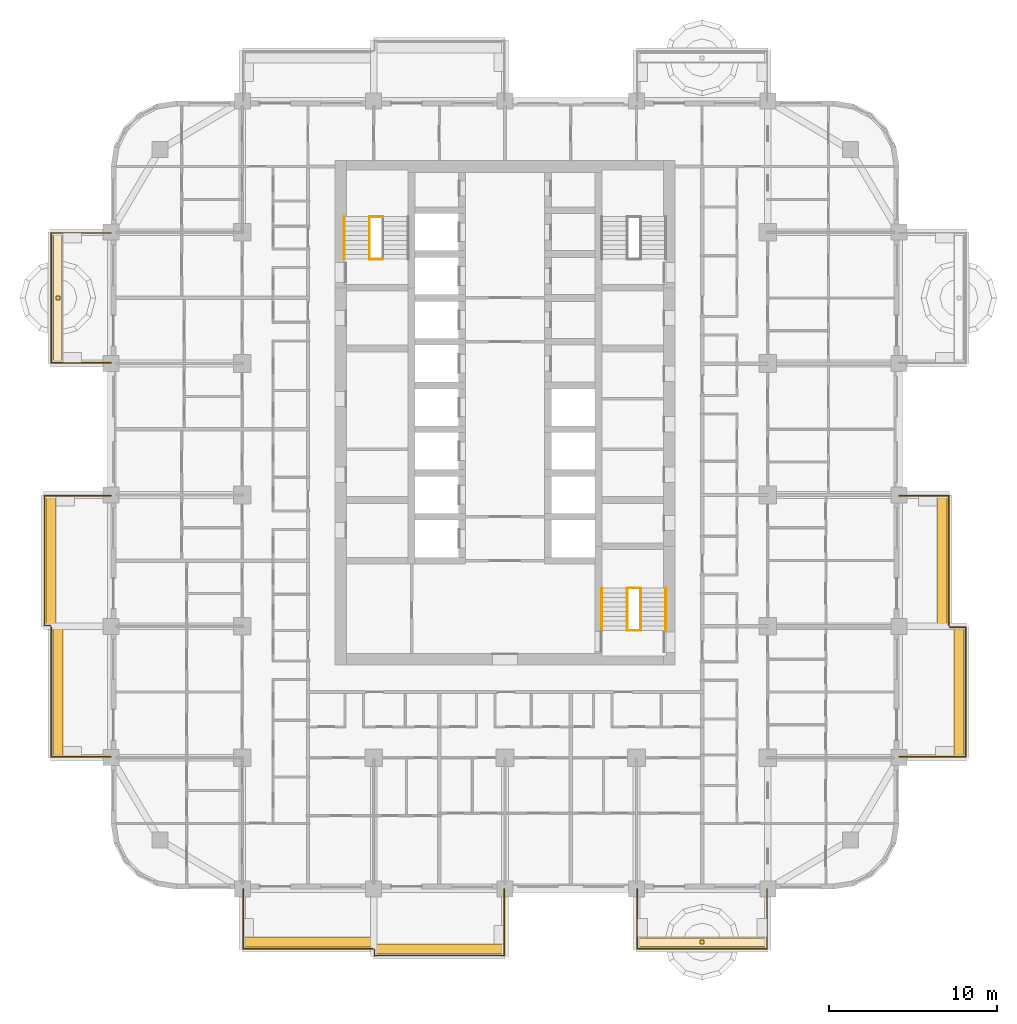
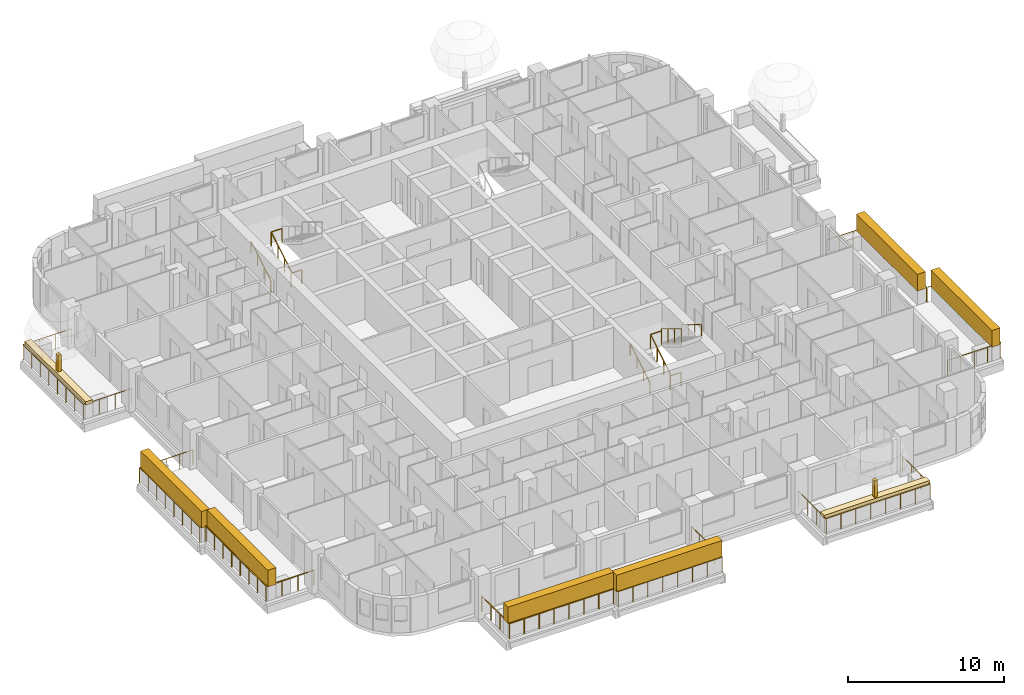
# One storey, part 17 of 19: 18 railings, 10 coverings, 2 elements without a shape of their own.
"""IFC4 building model written with IfcOpenShell, lengths in metres."""

from ifc_helpers import new_model, si_unit, direction, frame, origin, origin_2d, place, context, subcontext, project, spatial, rectangle, circle, extrude, material, layer, layer_set, type_object, element, aggregate, save


model = new_model("IFC4")

# Units and contexts
model_context = context("Model", 3, precision=1e-05, world=origin(), true_north=direction((0.0, 1.0)))
body_context = subcontext(model_context, "Body", "Model", "MODEL_VIEW")
ifc_project = project(units=[si_unit("LENGTHUNIT", "METRE"), si_unit("AREAUNIT", "SQUARE_METRE"), si_unit("VOLUMEUNIT", "CUBIC_METRE"), si_unit("PLANEANGLEUNIT", "RADIAN"), si_unit("MASSUNIT", "GRAM", prefix="KILO")], contexts=[model_context])

# Site, building, storey
site_placement = place(None, origin())
site = spatial("IfcSite", under=ifc_project, at=site_placement, CompositionType="ELEMENT")
building_placement = place(site_placement, origin())
building = spatial("IfcBuilding", under=site, at=building_placement, Name="Ludao Terraces", CompositionType="ELEMENT")
storey_placement = place(building_placement, frame((0.0, 0.0, 68.199951171875)))
storey = spatial("IfcBuildingStorey", under=building, at=storey_placement, Name="L18", CompositionType="ELEMENT", Elevation=68.199951171875)

# Railings
ifc_material_1 = material(Name="Stainless steel 304", Category="steel")
railing_type_1 = type_object("IfcRailingType", Name="ENV Balcony glass guard 1200", PredefinedType="GUARDRAIL", material=ifc_material_1)
railing_1_placement = place(storey_placement, frame((69.449951171875, 41.60009765625, 0.0)))
element("IfcRailing", 1, at=railing_1_placement, inside=storey, type_object=railing_type_1, Name="Balcony guard L18 S1", PredefinedType="GUARDRAIL", context=body_context, shape_type="SweptSolid", body=[
    extrude(circle(Radius=0.02392578125, at=origin_2d()), frame((0.0, 0.0, 1.17578125), z_axis=(0.0, -1.0, 0.0), x_axis=(1.0, 0.0, 0.0)), (0.0, 0.0, 1.0), 3.550048828125),
    extrude(circle(Radius=0.02392578125, at=origin_2d()), frame((0.0, -3.550048828125, 1.17578125), z_axis=(1.0, 0.0, 0.0), x_axis=(0.0, 1.0, 0.0)), (0.0, 0.0, 1.0), 7.699951171875),
    extrude(circle(Radius=0.02099609375, at=origin_2d()), origin(), (0.0, 0.0, 1.0), 1.15185546875),
    extrude(circle(Radius=0.02099609375, at=origin_2d()), frame((0.0, -1.183349609375, 0.0)), (0.0, 0.0, 1.0), 1.15185546875),
    extrude(circle(Radius=0.02099609375, at=origin_2d()), frame((0.0, -2.36669921875, 0.0)), (0.0, 0.0, 1.0), 1.15185546875),
    extrude(circle(Radius=0.02099609375, at=origin_2d()), frame((0.0, -3.550048828125, 0.0)), (0.0, 0.0, 1.0), 1.15185546875),
    extrude(circle(Radius=0.02099609375, at=origin_2d()), frame((1.10009765625, -3.550048828125, 0.0)), (0.0, 0.0, 1.0), 1.15185546875),
    extrude(circle(Radius=0.02099609375, at=origin_2d()), frame((2.199951171875, -3.550048828125, 0.0)), (0.0, 0.0, 1.0), 1.15185546875),
    extrude(circle(Radius=0.02099609375, at=origin_2d()), frame((3.300048828125, -3.550048828125, 0.0)), (0.0, 0.0, 1.0), 1.15185546875),
    extrude(circle(Radius=0.02099609375, at=origin_2d()), frame((4.39990234375, -3.550048828125, 0.0)), (0.0, 0.0, 1.0), 1.15185546875),
    extrude(circle(Radius=0.02099609375, at=origin_2d()), frame((5.5, -3.550048828125, 0.0)), (0.0, 0.0, 1.0), 1.15185546875),
    extrude(circle(Radius=0.02099609375, at=origin_2d()), frame((6.599853515625, -3.550048828125, 0.0)), (0.0, 0.0, 1.0), 1.15185546875),
    extrude(circle(Radius=0.02099609375, at=origin_2d()), frame((7.699951171875, -3.550048828125, 0.0)), (0.0, 0.0, 1.0), 1.15185546875),
])
railing_2_placement = place(storey_placement, frame((77.25, 38.0, 0.0)))
element("IfcRailing", 2, at=railing_2_placement, inside=storey, type_object=railing_type_1, Name="Balcony guard L18 S2", PredefinedType="GUARDRAIL", context=body_context, shape_type="SweptSolid", body=[
    extrude(circle(Radius=0.02392578125, at=origin_2d()), frame((0.0, 0.0, 1.17578125), z_axis=(0.0, -1.0, 0.0), x_axis=(1.0, 0.0, 0.0)), (0.0, 0.0, 1.0), 0.35009765625),
    extrude(circle(Radius=0.02392578125, at=origin_2d()), frame((0.0, -0.35009765625, 1.17578125), z_axis=(1.0, 0.0, 0.0), x_axis=(0.0, 1.0, 0.0)), (0.0, 0.0, 1.0), 7.699951171875),
    extrude(circle(Radius=0.02392578125, at=origin_2d()), frame((7.699951171875, -0.35009765625, 1.17578125), z_axis=(0.0, 1.0, 0.0), x_axis=(-1.0, 0.0, 0.0)), (0.0, 0.0, 1.0), 3.9501953125),
    extrude(circle(Radius=0.02099609375, at=origin_2d()), origin(), (0.0, 0.0, 1.0), 1.15185546875),
    extrude(circle(Radius=0.02099609375, at=origin_2d()), frame((0.0, -0.35009765625, 0.0)), (0.0, 0.0, 1.0), 1.15185546875),
    extrude(circle(Radius=0.02099609375, at=origin_2d()), frame((1.10009765625, -0.35009765625, 0.0)), (0.0, 0.0, 1.0), 1.15185546875),
    extrude(circle(Radius=0.02099609375, at=origin_2d()), frame((2.199951171875, -0.35009765625, 0.0)), (0.0, 0.0, 1.0), 1.15185546875),
    extrude(circle(Radius=0.02099609375, at=origin_2d()), frame((3.300048828125, -0.35009765625, 0.0)), (0.0, 0.0, 1.0), 1.15185546875),
    extrude(circle(Radius=0.02099609375, at=origin_2d()), frame((4.39990234375, -0.35009765625, 0.0)), (0.0, 0.0, 1.0), 1.15185546875),
    extrude(circle(Radius=0.02099609375, at=origin_2d()), frame((5.5, -0.35009765625, 0.0)), (0.0, 0.0, 1.0), 1.15185546875),
    extrude(circle(Radius=0.02099609375, at=origin_2d()), frame((6.599853515625, -0.35009765625, 0.0)), (0.0, 0.0, 1.0), 1.15185546875),
    extrude(circle(Radius=0.02099609375, at=origin_2d()), frame((7.699951171875, -0.35009765625, 0.0)), (0.0, 0.0, 1.0), 1.15185546875),
    extrude(circle(Radius=0.02099609375, at=origin_2d()), frame((7.699951171875, 0.637451171875, 0.0)), (0.0, 0.0, 1.0), 1.15185546875),
    extrude(circle(Radius=0.02099609375, at=origin_2d()), frame((7.699951171875, 1.625, 0.0)), (0.0, 0.0, 1.0), 1.15185546875),
    extrude(circle(Radius=0.02099609375, at=origin_2d()), frame((7.699951171875, 2.612548828125, 0.0)), (0.0, 0.0, 1.0), 1.15185546875),
    extrude(circle(Radius=0.02099609375, at=origin_2d()), frame((7.699951171875, 3.60009765625, 0.0)), (0.0, 0.0, 1.0), 1.15185546875),
])
railing_3_placement = place(storey_placement, frame((92.85009765625, 41.60009765625, 0.0)))
element("IfcRailing", 3, at=railing_3_placement, inside=storey, type_object=railing_type_1, Name="Balcony guard L18 S4", PredefinedType="GUARDRAIL", context=body_context, shape_type="SweptSolid", body=[
    extrude(circle(Radius=0.02392578125, at=origin_2d()), frame((0.0, 0.0, 1.17578125), z_axis=(0.0, -1.0, 0.0), x_axis=(1.0, 0.0, 0.0)), (0.0, 0.0, 1.0), 3.550048828125),
    extrude(circle(Radius=0.02392578125, at=origin_2d()), frame((0.0, -3.550048828125, 1.17578125), z_axis=(1.0, 0.0, 0.0), x_axis=(0.0, 1.0, 0.0)), (0.0, 0.0, 1.0), 7.699951171875),
    extrude(circle(Radius=0.02392578125, at=origin_2d()), frame((7.699951171875, -3.550048828125, 1.17578125), z_axis=(0.0, 1.0, 0.0), x_axis=(-1.0, 0.0, 0.0)), (0.0, 0.0, 1.0), 3.550048828125),
    extrude(circle(Radius=0.02099609375, at=origin_2d()), origin(), (0.0, 0.0, 1.0), 1.15185546875),
    extrude(circle(Radius=0.02099609375, at=origin_2d()), frame((0.0, -1.183349609375, 0.0)), (0.0, 0.0, 1.0), 1.15185546875),
    extrude(circle(Radius=0.02099609375, at=origin_2d()), frame((0.0, -2.36669921875, 0.0)), (0.0, 0.0, 1.0), 1.15185546875),
    extrude(circle(Radius=0.02099609375, at=origin_2d()), frame((0.0, -3.550048828125, 0.0)), (0.0, 0.0, 1.0), 1.15185546875),
    extrude(circle(Radius=0.02099609375, at=origin_2d()), frame((1.10009765625, -3.550048828125, 0.0)), (0.0, 0.0, 1.0), 1.15185546875),
    extrude(circle(Radius=0.02099609375, at=origin_2d()), frame((2.199951171875, -3.550048828125, 0.0)), (0.0, 0.0, 1.0), 1.15185546875),
    extrude(circle(Radius=0.02099609375, at=origin_2d()), frame((3.300048828125, -3.550048828125, 0.0)), (0.0, 0.0, 1.0), 1.15185546875),
    extrude(circle(Radius=0.02099609375, at=origin_2d()), frame((4.39990234375, -3.550048828125, 0.0)), (0.0, 0.0, 1.0), 1.15185546875),
    extrude(circle(Radius=0.02099609375, at=origin_2d()), frame((5.5, -3.550048828125, 0.0)), (0.0, 0.0, 1.0), 1.15185546875),
    extrude(circle(Radius=0.02099609375, at=origin_2d()), frame((6.599853515625, -3.550048828125, 0.0)), (0.0, 0.0, 1.0), 1.15185546875),
    extrude(circle(Radius=0.02099609375, at=origin_2d()), frame((7.699951171875, -3.550048828125, 0.0)), (0.0, 0.0, 1.0), 1.15185546875),
    extrude(circle(Radius=0.02099609375, at=origin_2d()), frame((7.699951171875, -2.36669921875, 0.0)), (0.0, 0.0, 1.0), 1.15185546875),
    extrude(circle(Radius=0.02099609375, at=origin_2d()), frame((7.699951171875, -1.183349609375, 0.0)), (0.0, 0.0, 1.0), 1.15185546875),
    extrude(circle(Radius=0.02099609375, at=origin_2d()), frame((7.699951171875, 0.0, 0.0)), (0.0, 0.0, 1.0), 1.15185546875),
])
railing_4_placement = place(storey_placement, frame((108.39990234375, 49.449951171875, 0.0)))
element("IfcRailing", 4, at=railing_4_placement, inside=storey, type_object=railing_type_1, Name="Balcony guard L18 E1", PredefinedType="GUARDRAIL", context=body_context, shape_type="SweptSolid", body=[
    extrude(circle(Radius=0.02392578125, at=origin_2d()), frame((0.0, 0.0, 1.17578125), z_axis=(1.0, 0.0, 0.0), x_axis=(0.0, 1.0, 0.0)), (0.0, 0.0, 1.0), 3.9501953125),
    extrude(circle(Radius=0.02392578125, at=origin_2d()), frame((3.9501953125, 0.0, 1.17578125), z_axis=(0.0, 1.0, 0.0), x_axis=(-1.0, 0.0, 0.0)), (0.0, 0.0, 1.0), 7.699951171875),
    extrude(circle(Radius=0.02392578125, at=origin_2d()), frame((3.9501953125, 7.699951171875, 1.17578125), z_axis=(-1.0, 0.0, 0.0), x_axis=(0.0, -1.0, 0.0)), (0.0, 0.0, 1.0), 0.9501953125),
    extrude(circle(Radius=0.02099609375, at=origin_2d()), origin(), (0.0, 0.0, 1.0), 1.15185546875),
    extrude(circle(Radius=0.02099609375, at=origin_2d()), frame((0.987548828125, 0.0, 0.0)), (0.0, 0.0, 1.0), 1.15185546875),
    extrude(circle(Radius=0.02099609375, at=origin_2d()), frame((1.97509765625, 0.0, 0.0)), (0.0, 0.0, 1.0), 1.15185546875),
    extrude(circle(Radius=0.02099609375, at=origin_2d()), frame((2.962646484375, 0.0, 0.0)), (0.0, 0.0, 1.0), 1.15185546875),
    extrude(circle(Radius=0.02099609375, at=origin_2d()), frame((3.9501953125, 0.0, 0.0)), (0.0, 0.0, 1.0), 1.15185546875),
    extrude(circle(Radius=0.02099609375, at=origin_2d()), frame((3.9501953125, 1.10009765625, 0.0)), (0.0, 0.0, 1.0), 1.15185546875),
    extrude(circle(Radius=0.02099609375, at=origin_2d()), frame((3.9501953125, 2.199951171875, 0.0)), (0.0, 0.0, 1.0), 1.15185546875),
    extrude(circle(Radius=0.02099609375, at=origin_2d()), frame((3.9501953125, 3.300048828125, 0.0)), (0.0, 0.0, 1.0), 1.15185546875),
    extrude(circle(Radius=0.02099609375, at=origin_2d()), frame((3.9501953125, 4.39990234375, 0.0)), (0.0, 0.0, 1.0), 1.15185546875),
    extrude(circle(Radius=0.02099609375, at=origin_2d()), frame((3.9501953125, 5.5, 0.0)), (0.0, 0.0, 1.0), 1.15185546875),
    extrude(circle(Radius=0.02099609375, at=origin_2d()), frame((3.9501953125, 6.599853515625, 0.0)), (0.0, 0.0, 1.0), 1.15185546875),
    extrude(circle(Radius=0.02099609375, at=origin_2d()), frame((3.9501953125, 7.699951171875, 0.0)), (0.0, 0.0, 1.0), 1.15185546875),
    extrude(circle(Radius=0.02099609375, at=origin_2d()), frame((3.0, 7.699951171875, 0.0)), (0.0, 0.0, 1.0), 1.15185546875),
])
railing_5_placement = place(storey_placement, frame((111.35009765625, 57.25, 0.0)))
element("IfcRailing", 5, at=railing_5_placement, inside=storey, type_object=railing_type_1, Name="Balcony guard L18 E2", PredefinedType="GUARDRAIL", context=body_context, shape_type="SweptSolid", body=[
    extrude(circle(Radius=0.02392578125, at=origin_2d()), frame((0.0, 0.0, 1.17578125), z_axis=(0.0, 1.0, 0.0), x_axis=(-1.0, 0.0, 0.0)), (0.0, 0.0, 1.0), 7.699951171875),
    extrude(circle(Radius=0.02392578125, at=origin_2d()), frame((0.0, 7.699951171875, 1.17578125), z_axis=(-1.0, 0.0, 0.0), x_axis=(0.0, -1.0, 0.0)), (0.0, 0.0, 1.0), 2.9501953125),
    extrude(circle(Radius=0.02099609375, at=origin_2d()), origin(), (0.0, 0.0, 1.0), 1.15185546875),
    extrude(circle(Radius=0.02099609375, at=origin_2d()), frame((0.0, 1.10009765625, 0.0)), (0.0, 0.0, 1.0), 1.15185546875),
    extrude(circle(Radius=0.02099609375, at=origin_2d()), frame((0.0, 2.199951171875, 0.0)), (0.0, 0.0, 1.0), 1.15185546875),
    extrude(circle(Radius=0.02099609375, at=origin_2d()), frame((0.0, 3.300048828125, 0.0)), (0.0, 0.0, 1.0), 1.15185546875),
    extrude(circle(Radius=0.02099609375, at=origin_2d()), frame((0.0, 4.39990234375, 0.0)), (0.0, 0.0, 1.0), 1.15185546875),
    extrude(circle(Radius=0.02099609375, at=origin_2d()), frame((0.0, 5.5, 0.0)), (0.0, 0.0, 1.0), 1.15185546875),
    extrude(circle(Radius=0.02099609375, at=origin_2d()), frame((0.0, 6.599853515625, 0.0)), (0.0, 0.0, 1.0), 1.15185546875),
    extrude(circle(Radius=0.02099609375, at=origin_2d()), frame((0.0, 7.699951171875, 0.0)), (0.0, 0.0, 1.0), 1.15185546875),
    extrude(circle(Radius=0.02099609375, at=origin_2d()), frame((-0.9833984375, 7.699951171875, 0.0)), (0.0, 0.0, 1.0), 1.15185546875),
    extrude(circle(Radius=0.02099609375, at=origin_2d()), frame((-1.966796875, 7.699951171875, 0.0)), (0.0, 0.0, 1.0), 1.15185546875),
    extrude(circle(Radius=0.02099609375, at=origin_2d()), frame((-2.9501953125, 7.699951171875, 0.0)), (0.0, 0.0, 1.0), 1.15185546875),
])
railing_6_placement = place(storey_placement, frame((61.60009765625, 49.449951171875, 0.0)))
element("IfcRailing", 6, at=railing_6_placement, inside=storey, type_object=railing_type_1, Name="Balcony guard L18 W1", PredefinedType="GUARDRAIL", context=body_context, shape_type="SweptSolid", body=[
    extrude(circle(Radius=0.02392578125, at=origin_2d()), frame((0.0, 0.0, 1.17578125), z_axis=(-1.0, 0.0, 0.0), x_axis=(0.0, -1.0, 0.0)), (0.0, 0.0, 1.0), 3.550048828125),
    extrude(circle(Radius=0.02392578125, at=origin_2d()), frame((-3.550048828125, 0.0, 1.17578125), z_axis=(0.0, 1.0, 0.0), x_axis=(-1.0, 0.0, 0.0)), (0.0, 0.0, 1.0), 7.699951171875),
    extrude(circle(Radius=0.02099609375, at=origin_2d()), origin(), (0.0, 0.0, 1.0), 1.15185546875),
    extrude(circle(Radius=0.02099609375, at=origin_2d()), frame((-1.183349609375, 0.0, 0.0)), (0.0, 0.0, 1.0), 1.15185546875),
    extrude(circle(Radius=0.02099609375, at=origin_2d()), frame((-2.36669921875, 0.0, 0.0)), (0.0, 0.0, 1.0), 1.15185546875),
    extrude(circle(Radius=0.02099609375, at=origin_2d()), frame((-3.550048828125, 0.0, 0.0)), (0.0, 0.0, 1.0), 1.15185546875),
    extrude(circle(Radius=0.02099609375, at=origin_2d()), frame((-3.550048828125, 1.10009765625, 0.0)), (0.0, 0.0, 1.0), 1.15185546875),
    extrude(circle(Radius=0.02099609375, at=origin_2d()), frame((-3.550048828125, 2.199951171875, 0.0)), (0.0, 0.0, 1.0), 1.15185546875),
    extrude(circle(Radius=0.02099609375, at=origin_2d()), frame((-3.550048828125, 3.300048828125, 0.0)), (0.0, 0.0, 1.0), 1.15185546875),
    extrude(circle(Radius=0.02099609375, at=origin_2d()), frame((-3.550048828125, 4.39990234375, 0.0)), (0.0, 0.0, 1.0), 1.15185546875),
    extrude(circle(Radius=0.02099609375, at=origin_2d()), frame((-3.550048828125, 5.5, 0.0)), (0.0, 0.0, 1.0), 1.15185546875),
    extrude(circle(Radius=0.02099609375, at=origin_2d()), frame((-3.550048828125, 6.599853515625, 0.0)), (0.0, 0.0, 1.0), 1.15185546875),
    extrude(circle(Radius=0.02099609375, at=origin_2d()), frame((-3.550048828125, 7.699951171875, 0.0)), (0.0, 0.0, 1.0), 1.15185546875),
])
railing_7_placement = place(storey_placement, frame((58.0, 57.25, 0.0)))
element("IfcRailing", 7, at=railing_7_placement, inside=storey, type_object=railing_type_1, Name="Balcony guard L18 W2", PredefinedType="GUARDRAIL", context=body_context, shape_type="SweptSolid", body=[
    extrude(circle(Radius=0.02392578125, at=origin_2d()), frame((0.0, 0.0, 1.17578125), z_axis=(-1.0, 0.0, 0.0), x_axis=(0.0, -1.0, 0.0)), (0.0, 0.0, 1.0), 0.35009765625),
    extrude(circle(Radius=0.02392578125, at=origin_2d()), frame((-0.35009765625, 0.0, 1.17578125), z_axis=(0.0, 1.0, 0.0), x_axis=(-1.0, 0.0, 0.0)), (0.0, 0.0, 1.0), 7.699951171875),
    extrude(circle(Radius=0.02392578125, at=origin_2d()), frame((-0.35009765625, 7.699951171875, 1.17578125), z_axis=(1.0, 0.0, 0.0), x_axis=(0.0, 1.0, 0.0)), (0.0, 0.0, 1.0), 3.9501953125),
    extrude(circle(Radius=0.02099609375, at=origin_2d()), origin(), (0.0, 0.0, 1.0), 1.15185546875),
    extrude(circle(Radius=0.02099609375, at=origin_2d()), frame((-0.35009765625, 0.0, 0.0)), (0.0, 0.0, 1.0), 1.15185546875),
    extrude(circle(Radius=0.02099609375, at=origin_2d()), frame((-0.35009765625, 1.10009765625, 0.0)), (0.0, 0.0, 1.0), 1.15185546875),
    extrude(circle(Radius=0.02099609375, at=origin_2d()), frame((-0.35009765625, 2.199951171875, 0.0)), (0.0, 0.0, 1.0), 1.15185546875),
    extrude(circle(Radius=0.02099609375, at=origin_2d()), frame((-0.35009765625, 3.300048828125, 0.0)), (0.0, 0.0, 1.0), 1.15185546875),
    extrude(circle(Radius=0.02099609375, at=origin_2d()), frame((-0.35009765625, 4.39990234375, 0.0)), (0.0, 0.0, 1.0), 1.15185546875),
    extrude(circle(Radius=0.02099609375, at=origin_2d()), frame((-0.35009765625, 5.5, 0.0)), (0.0, 0.0, 1.0), 1.15185546875),
    extrude(circle(Radius=0.02099609375, at=origin_2d()), frame((-0.35009765625, 6.599853515625, 0.0)), (0.0, 0.0, 1.0), 1.15185546875),
    extrude(circle(Radius=0.02099609375, at=origin_2d()), frame((-0.35009765625, 7.699951171875, 0.0)), (0.0, 0.0, 1.0), 1.15185546875),
    extrude(circle(Radius=0.02099609375, at=origin_2d()), frame((0.637451171875, 7.699951171875, 0.0)), (0.0, 0.0, 1.0), 1.15185546875),
    extrude(circle(Radius=0.02099609375, at=origin_2d()), frame((1.625, 7.699951171875, 0.0)), (0.0, 0.0, 1.0), 1.15185546875),
    extrude(circle(Radius=0.02099609375, at=origin_2d()), frame((2.612548828125, 7.699951171875, 0.0)), (0.0, 0.0, 1.0), 1.15185546875),
    extrude(circle(Radius=0.02099609375, at=origin_2d()), frame((3.60009765625, 7.699951171875, 0.0)), (0.0, 0.0, 1.0), 1.15185546875),
])
railing_8_placement = place(storey_placement, frame((61.60009765625, 72.85009765625, 0.0)))
element("IfcRailing", 8, at=railing_8_placement, inside=storey, type_object=railing_type_1, Name="Balcony guard L18 W4", PredefinedType="GUARDRAIL", context=body_context, shape_type="SweptSolid", body=[
    extrude(circle(Radius=0.02392578125, at=origin_2d()), frame((0.0, 0.0, 1.17578125), z_axis=(-1.0, 0.0, 0.0), x_axis=(0.0, -1.0, 0.0)), (0.0, 0.0, 1.0), 3.550048828125),
    extrude(circle(Radius=0.02392578125, at=origin_2d()), frame((-3.550048828125, 0.0, 1.17578125), z_axis=(0.0, 1.0, 0.0), x_axis=(-1.0, 0.0, 0.0)), (0.0, 0.0, 1.0), 7.699951171875),
    extrude(circle(Radius=0.02392578125, at=origin_2d()), frame((-3.550048828125, 7.699951171875, 1.17578125), z_axis=(1.0, 0.0, 0.0), x_axis=(0.0, 1.0, 0.0)), (0.0, 0.0, 1.0), 3.550048828125),
    extrude(circle(Radius=0.02099609375, at=origin_2d()), origin(), (0.0, 0.0, 1.0), 1.15185546875),
    extrude(circle(Radius=0.02099609375, at=origin_2d()), frame((-1.183349609375, 0.0, 0.0)), (0.0, 0.0, 1.0), 1.15185546875),
    extrude(circle(Radius=0.02099609375, at=origin_2d()), frame((-2.36669921875, 0.0, 0.0)), (0.0, 0.0, 1.0), 1.15185546875),
    extrude(circle(Radius=0.02099609375, at=origin_2d()), frame((-3.550048828125, 0.0, 0.0)), (0.0, 0.0, 1.0), 1.15185546875),
    extrude(circle(Radius=0.02099609375, at=origin_2d()), frame((-3.550048828125, 1.10009765625, 0.0)), (0.0, 0.0, 1.0), 1.15185546875),
    extrude(circle(Radius=0.02099609375, at=origin_2d()), frame((-3.550048828125, 2.199951171875, 0.0)), (0.0, 0.0, 1.0), 1.15185546875),
    extrude(circle(Radius=0.02099609375, at=origin_2d()), frame((-3.550048828125, 3.300048828125, 0.0)), (0.0, 0.0, 1.0), 1.15185546875),
    extrude(circle(Radius=0.02099609375, at=origin_2d()), frame((-3.550048828125, 4.39990234375, 0.0)), (0.0, 0.0, 1.0), 1.15185546875),
    extrude(circle(Radius=0.02099609375, at=origin_2d()), frame((-3.550048828125, 5.5, 0.0)), (0.0, 0.0, 1.0), 1.15185546875),
    extrude(circle(Radius=0.02099609375, at=origin_2d()), frame((-3.550048828125, 6.599853515625, 0.0)), (0.0, 0.0, 1.0), 1.15185546875),
    extrude(circle(Radius=0.02099609375, at=origin_2d()), frame((-3.550048828125, 7.699951171875, 0.0)), (0.0, 0.0, 1.0), 1.15185546875),
    extrude(circle(Radius=0.02099609375, at=origin_2d()), frame((-2.36669921875, 7.699951171875, 0.0)), (0.0, 0.0, 1.0), 1.15185546875),
    extrude(circle(Radius=0.02099609375, at=origin_2d()), frame((-1.183349609375, 7.699951171875, 0.0)), (0.0, 0.0, 1.0), 1.15185546875),
    extrude(circle(Radius=0.02099609375, at=origin_2d()), frame((0.0, 7.699951171875, 0.0)), (0.0, 0.0, 1.0), 1.15185546875),
])

# Coverings
ifc_material_2 = material(Name="Planting")
ifc_layer_1 = layer(ifc_material_2, 0.5)
ifc_layer_set_1 = layer_set([ifc_layer_1], Name="ENV Planting bed 250")
covering_type_1 = type_object("IfcCoveringType", Name="ENV Planting bed 250", PredefinedType="USERDEFINED", material=ifc_layer_set_1)
covering_1_placement = place(storey_placement, frame((96.699951171875, 38.449951171875, 1.10009765625), z_axis=(0.0, 0.0, 1.0), x_axis=(1.0, 0.0, 0.0)))
element("IfcCovering", 9, at=covering_1_placement, inside=storey, type_object=covering_type_1, Name="Planting bed L18-S4", ObjectType="PLANTING", PredefinedType="USERDEFINED", context=body_context, shape_type="SweptSolid", body=[
    extrude(rectangle(XDim=7.800048828125, YDim=0.5, at=origin_2d()), origin(), (0.0, 0.0, 1.0), 0.25),
])
covering_2_placement = place(storey_placement, frame((58.449951171875, 76.699951171875, 1.10009765625), z_axis=(0.0, 0.0, 1.0), x_axis=(1.0, 0.0, 0.0)))
element("IfcCovering", 10, at=covering_2_placement, inside=storey, type_object=covering_type_1, Name="Planting bed L18-W4", ObjectType="PLANTING", PredefinedType="USERDEFINED", context=body_context, shape_type="SweptSolid", body=[
    extrude(rectangle(XDim=0.5, YDim=7.800048828125, at=origin_2d()), origin(), (0.0, 0.0, 1.0), 0.25),
])
ifc_layer_2 = layer(ifc_material_2, 0.60009765625)
ifc_layer_set_2 = layer_set([ifc_layer_2], Name="ENV Planting hedge 600x1300")
covering_type_2 = type_object("IfcCoveringType", Name="ENV Planting hedge 600x1300", PredefinedType="USERDEFINED", material=ifc_layer_set_2)
for number, where, z_axis, x_axis, name in (
    (11, (73.300048828125, 38.449951171875, 1.10009765625), (0.0, 0.0, 1.0), (1.0, 0.0, 0.0), "Planting hedge L18-S1"),
    (12, (81.10009765625, 38.050048828125, 1.10009765625), (0.0, 0.0, 1.0), (1.0, 0.0, 0.0), "Planting hedge L18-S2"),
):
    element("IfcCovering", number, at=place(storey_placement, frame(where, z_axis=z_axis, x_axis=x_axis)), inside=storey, type_object=covering_type_2, Name=name, ObjectType="PLANTING", PredefinedType="USERDEFINED", context=body_context, shape_type="SweptSolid", body=[
        extrude(rectangle(XDim=7.800048828125, YDim=0.60009765625, at=origin_2d()), origin(), (0.0, 0.0, 1.0), 1.300048828125),
    ])
for number, where, z_axis, x_axis, name in (
    (13, (111.949951171875, 53.300048828125, 1.10009765625), (0.0, 0.0, 1.0), (1.0, 0.0, 0.0), "Planting hedge L18-E1"),
    (14, (110.949951171875, 61.10009765625, 1.10009765625), (0.0, 0.0, 1.0), (1.0, 0.0, 0.0), "Planting hedge L18-E2"),
    (15, (58.449951171875, 53.300048828125, 1.10009765625), (0.0, 0.0, 1.0), (1.0, 0.0, 0.0), "Planting hedge L18-W1"),
    (16, (58.050048828125, 61.10009765625, 1.10009765625), (0.0, 0.0, 1.0), (1.0, 0.0, 0.0), "Planting hedge L18-W2"),
):
    element("IfcCovering", number, at=place(storey_placement, frame(where, z_axis=z_axis, x_axis=x_axis)), inside=storey, type_object=covering_type_2, Name=name, ObjectType="PLANTING", PredefinedType="USERDEFINED", context=body_context, shape_type="SweptSolid", body=[
        extrude(rectangle(XDim=0.60009765625, YDim=7.800048828125, at=origin_2d()), origin(), (0.0, 0.0, 1.0), 1.300048828125),
    ])
ifc_material_3 = material(Name="Timber tree trunk", Category="wood")
ifc_layer_3 = layer(ifc_material_3, 0.25)
ifc_layer_set_3 = layer_set([ifc_layer_3], Name="ENV Tree trunk 250x1300")
covering_type_3 = type_object("IfcCoveringType", Name="ENV Tree trunk 250x1300", PredefinedType="USERDEFINED", material=ifc_layer_set_3)
for number, where, z_axis, x_axis, name in (
    (17, (96.699951171875, 38.449951171875, 1.35009765625), (0.0, 0.0, 1.0), (1.0, 0.0, 0.0), "Tree trunk L18 S4"),
    (18, (58.449951171875, 76.699951171875, 1.35009765625), (0.0, 0.0, 1.0), (1.0, 0.0, 0.0), "Tree trunk L18 W4"),
):
    element("IfcCovering", number, at=place(storey_placement, frame(where, z_axis=z_axis, x_axis=x_axis)), inside=storey, type_object=covering_type_3, Name=name, ObjectType="PLANTING", PredefinedType="USERDEFINED", context=body_context, shape_type="SweptSolid", body=[
        extrude(rectangle(XDim=0.25, YDim=0.25, at=origin_2d()), origin(), (0.0, 0.0, 1.0), 1.300048828125),
    ])

# Stair, railings
ifc_material_4 = material(Name="Concrete C40", Category="concrete")
stair_type = type_object("IfcStairType", Name="INT Stair", PredefinedType="HALF_TURN_STAIR", material=ifc_material_4)
stair_1_placement = place(storey_placement, origin())
stair_1 = element("IfcStair", 19, at=stair_1_placement, inside=storey, type_object=stair_type, Name="EXIT STAIR 1", PredefinedType="HALF_TURN_STAIR")
railing_type_2 = type_object("IfcRailingType", Name="INT Stair guard 1100", PredefinedType="GUARDRAIL", material=ifc_material_1)
railing_9_placement = place(storey_placement, frame((76.949951171875, 79.0, 0.170166015625)))
railing_9 = element("IfcRailing", 20, at=railing_9_placement, type_object=railing_type_2, Name="ST-L18-S1-R1G", PredefinedType="GUARDRAIL", context=body_context, shape_type="SweptSolid", body=[
    extrude(circle(Radius=0.02392578125, at=origin_2d()), frame((0.0, 0.0, 1.076171875), z_axis=(0.0, 0.854821627497, 0.518921945155), x_axis=(-1.0, 0.0, 0.0)), (0.0, 0.0, 1.0), 2.947998046875),
    extrude(circle(Radius=0.02099609375, at=origin_2d()), origin(), (0.0, 0.0, 1.0), 1.052001953125),
    extrude(circle(Radius=0.02099609375, at=origin_2d()), frame((0.0, 0.840087890625, 0.510009765625)), (0.0, 0.0, 1.0), 1.052001953125),
    extrude(circle(Radius=0.02099609375, at=origin_2d()), frame((0.0, 1.679931640625, 1.019775390625)), (0.0, 0.0, 1.0), 1.052001953125),
    extrude(circle(Radius=0.02099609375, at=origin_2d()), frame((0.0, 2.52001953125, 1.52978515625)), (0.0, 0.0, 1.0), 1.052001953125),
])
railing_10_placement = place(storey_placement, frame((76.949951171875, 81.52001953125, 1.699951171875)))
railing_10 = element("IfcRailing", 21, at=railing_10_placement, type_object=railing_type_2, Name="ST-L18-S1-E1G", PredefinedType="GUARDRAIL", context=body_context, shape_type="SweptSolid", body=[
    extrude(circle(Radius=0.02392578125, at=origin_2d()), frame((0.0, 0.0, 1.076171875), z_axis=(1.0, 0.0, 0.0), x_axis=(0.0, 1.0, 0.0)), (0.0, 0.0, 1.0), 0.800048828125),
    extrude(circle(Radius=0.02099609375, at=origin_2d()), origin(), (0.0, 0.0, 1.0), 1.052001953125),
    extrude(circle(Radius=0.02099609375, at=origin_2d()), frame((0.800048828125, 0.0, 0.0)), (0.0, 0.0, 1.0), 1.052001953125),
])
railing_11_placement = place(storey_placement, frame((76.949951171875, 79.0, 0.0)))
railing_11 = element("IfcRailing", 22, at=railing_11_placement, type_object=railing_type_2, Name="ST-L18-S1-E2G", PredefinedType="GUARDRAIL", context=body_context, shape_type="SweptSolid", body=[
    extrude(circle(Radius=0.02392578125, at=origin_2d()), frame((0.0, 0.0, 1.076171875), z_axis=(1.0, 0.0, 0.0), x_axis=(0.0, 1.0, 0.0)), (0.0, 0.0, 1.0), 0.800048828125),
    extrude(circle(Radius=0.02099609375, at=origin_2d()), origin(), (0.0, 0.0, 1.0), 1.052001953125),
    extrude(circle(Radius=0.02099609375, at=origin_2d()), frame((0.800048828125, 0.0, 0.0)), (0.0, 0.0, 1.0), 1.052001953125),
])

stair_2_placement = place(storey_placement, origin())
stair_2 = element("IfcStair", 23, at=stair_2_placement, inside=storey, type_object=stair_type, Name="EXIT STAIR 3", PredefinedType="HALF_TURN_STAIR")
railing_12_placement = place(storey_placement, frame((92.25, 56.949951171875, 0.170166015625)))
railing_12 = element("IfcRailing", 24, at=railing_12_placement, type_object=railing_type_2, Name="ST-L18-S3-R1G", PredefinedType="GUARDRAIL", context=body_context, shape_type="SweptSolid", body=[
    extrude(circle(Radius=0.02392578125, at=origin_2d()), frame((0.0, 0.0, 1.076171875), z_axis=(0.0, 0.854821627497, 0.518921945155), x_axis=(-1.0, 0.0, 0.0)), (0.0, 0.0, 1.0), 2.947998046875),
    extrude(circle(Radius=0.02099609375, at=origin_2d()), origin(), (0.0, 0.0, 1.0), 1.052001953125),
    extrude(circle(Radius=0.02099609375, at=origin_2d()), frame((0.0, 0.840087890625, 0.510009765625)), (0.0, 0.0, 1.0), 1.052001953125),
    extrude(circle(Radius=0.02099609375, at=origin_2d()), frame((0.0, 1.679931640625, 1.019775390625)), (0.0, 0.0, 1.0), 1.052001953125),
    extrude(circle(Radius=0.02099609375, at=origin_2d()), frame((0.0, 2.52001953125, 1.52978515625)), (0.0, 0.0, 1.0), 1.052001953125),
])
railing_13_placement = place(storey_placement, frame((93.050048828125, 59.469970703125, 1.8701171875)))
railing_13 = element("IfcRailing", 25, at=railing_13_placement, type_object=railing_type_2, Name="ST-L18-S3-R2G", PredefinedType="GUARDRAIL", context=body_context, shape_type="SweptSolid", body=[
    extrude(circle(Radius=0.02392578125, at=origin_2d()), frame((0.0, 0.0, 1.076171875), z_axis=(0.0, -0.85478489116, 0.518982456201), x_axis=(1.0, 0.0, 0.0)), (0.0, 0.0, 1.0), 2.9482421875),
    extrude(circle(Radius=0.02099609375, at=origin_2d()), origin(), (0.0, 0.0, 1.0), 1.052001953125),
    extrude(circle(Radius=0.02099609375, at=origin_2d()), frame((0.0, -0.840087890625, 0.510009765625)), (0.0, 0.0, 1.0), 1.052001953125),
    extrude(circle(Radius=0.02099609375, at=origin_2d()), frame((0.0, -1.679931640625, 1.02001953125)), (0.0, 0.0, 1.0), 1.052001953125),
    extrude(circle(Radius=0.02099609375, at=origin_2d()), frame((0.0, -2.52001953125, 1.530029296875)), (0.0, 0.0, 1.0), 1.052001953125),
])
railing_14_placement = place(storey_placement, frame((92.25, 59.469970703125, 1.699951171875)))
railing_14 = element("IfcRailing", 26, at=railing_14_placement, type_object=railing_type_2, Name="ST-L18-S3-E1G", PredefinedType="GUARDRAIL", context=body_context, shape_type="SweptSolid", body=[
    extrude(circle(Radius=0.02392578125, at=origin_2d()), frame((0.0, 0.0, 1.076171875), z_axis=(1.0, 0.0, 0.0), x_axis=(0.0, 1.0, 0.0)), (0.0, 0.0, 1.0), 0.800048828125),
    extrude(circle(Radius=0.02099609375, at=origin_2d()), origin(), (0.0, 0.0, 1.0), 1.052001953125),
    extrude(circle(Radius=0.02099609375, at=origin_2d()), frame((0.800048828125, 0.0, 0.0)), (0.0, 0.0, 1.0), 1.052001953125),
])
railing_15_placement = place(storey_placement, frame((92.25, 56.949951171875, 0.0)))
railing_15 = element("IfcRailing", 27, at=railing_15_placement, type_object=railing_type_2, Name="ST-L18-S3-E2G", PredefinedType="GUARDRAIL", context=body_context, shape_type="SweptSolid", body=[
    extrude(circle(Radius=0.02392578125, at=origin_2d()), frame((0.0, 0.0, 1.076171875), z_axis=(1.0, 0.0, 0.0), x_axis=(0.0, 1.0, 0.0)), (0.0, 0.0, 1.0), 0.800048828125),
    extrude(circle(Radius=0.02099609375, at=origin_2d()), origin(), (0.0, 0.0, 1.0), 1.052001953125),
    extrude(circle(Radius=0.02099609375, at=origin_2d()), frame((0.800048828125, 0.0, 0.0)), (0.0, 0.0, 1.0), 1.052001953125),
])

# Railing
railing_type_3 = type_object("IfcRailingType", Name="INT Stair handrail 900", PredefinedType="HANDRAIL", material=ifc_material_1)
railing_16_placement = place(storey_placement, frame((75.449951171875, 79.0, 0.170166015625)))
railing_16 = element("IfcRailing", 28, at=railing_16_placement, type_object=railing_type_3, Name="ST-L18-S1-R1H", PredefinedType="HANDRAIL", context=body_context, shape_type="SweptSolid", body=[
    extrude(circle(Radius=0.02392578125, at=origin_2d()), frame((0.0, 0.0, 0.8759765625), z_axis=(0.0, 0.854821627497, 0.518921945155), x_axis=(-1.0, 0.0, 0.0)), (0.0, 0.0, 1.0), 2.947998046875),
    extrude(circle(Radius=0.02099609375, at=origin_2d()), origin(), (0.0, 0.0, 1.0), 0.851806640625),
    extrude(circle(Radius=0.02099609375, at=origin_2d()), frame((0.0, 0.840087890625, 0.510009765625)), (0.0, 0.0, 1.0), 0.851806640625),
    extrude(circle(Radius=0.02099609375, at=origin_2d()), frame((0.0, 1.679931640625, 1.019775390625)), (0.0, 0.0, 1.0), 0.851806640625),
    extrude(circle(Radius=0.02099609375, at=origin_2d()), frame((0.0, 2.52001953125, 1.52978515625)), (0.0, 0.0, 1.0), 0.851806640625),
])

aggregate(stair_1, [railing_9, railing_16, railing_10, railing_11])

railing_17_placement = place(storey_placement, frame((90.75, 56.949951171875, 0.170166015625)))
railing_17 = element("IfcRailing", 29, at=railing_17_placement, type_object=railing_type_3, Name="ST-L18-S3-R1H", PredefinedType="HANDRAIL", context=body_context, shape_type="SweptSolid", body=[
    extrude(circle(Radius=0.02392578125, at=origin_2d()), frame((0.0, 0.0, 0.8759765625), z_axis=(0.0, 0.854821627497, 0.518921945155), x_axis=(-1.0, 0.0, 0.0)), (0.0, 0.0, 1.0), 2.947998046875),
    extrude(circle(Radius=0.02099609375, at=origin_2d()), origin(), (0.0, 0.0, 1.0), 0.851806640625),
    extrude(circle(Radius=0.02099609375, at=origin_2d()), frame((0.0, 0.840087890625, 0.510009765625)), (0.0, 0.0, 1.0), 0.851806640625),
    extrude(circle(Radius=0.02099609375, at=origin_2d()), frame((0.0, 1.679931640625, 1.019775390625)), (0.0, 0.0, 1.0), 0.851806640625),
    extrude(circle(Radius=0.02099609375, at=origin_2d()), frame((0.0, 2.52001953125, 1.52978515625)), (0.0, 0.0, 1.0), 0.851806640625),
])

railing_18_placement = place(storey_placement, frame((94.550048828125, 59.469970703125, 1.8701171875)))
railing_18 = element("IfcRailing", 30, at=railing_18_placement, type_object=railing_type_3, Name="ST-L18-S3-R2H", PredefinedType="HANDRAIL", context=body_context, shape_type="SweptSolid", body=[
    extrude(circle(Radius=0.02392578125, at=origin_2d()), frame((0.0, 0.0, 0.8759765625), z_axis=(0.0, -0.85478489116, 0.518982456201), x_axis=(1.0, 0.0, 0.0)), (0.0, 0.0, 1.0), 2.9482421875),
    extrude(circle(Radius=0.02099609375, at=origin_2d()), origin(), (0.0, 0.0, 1.0), 0.851806640625),
    extrude(circle(Radius=0.02099609375, at=origin_2d()), frame((0.0, -0.840087890625, 0.510009765625)), (0.0, 0.0, 1.0), 0.851806640625),
    extrude(circle(Radius=0.02099609375, at=origin_2d()), frame((0.0, -1.679931640625, 1.02001953125)), (0.0, 0.0, 1.0), 0.851806640625),
    extrude(circle(Radius=0.02099609375, at=origin_2d()), frame((0.0, -2.52001953125, 1.530029296875)), (0.0, 0.0, 1.0), 0.851806640625),
])

aggregate(stair_2, [railing_12, railing_17, railing_13, railing_18, railing_14, railing_15])

save(model, "model.ifc")
